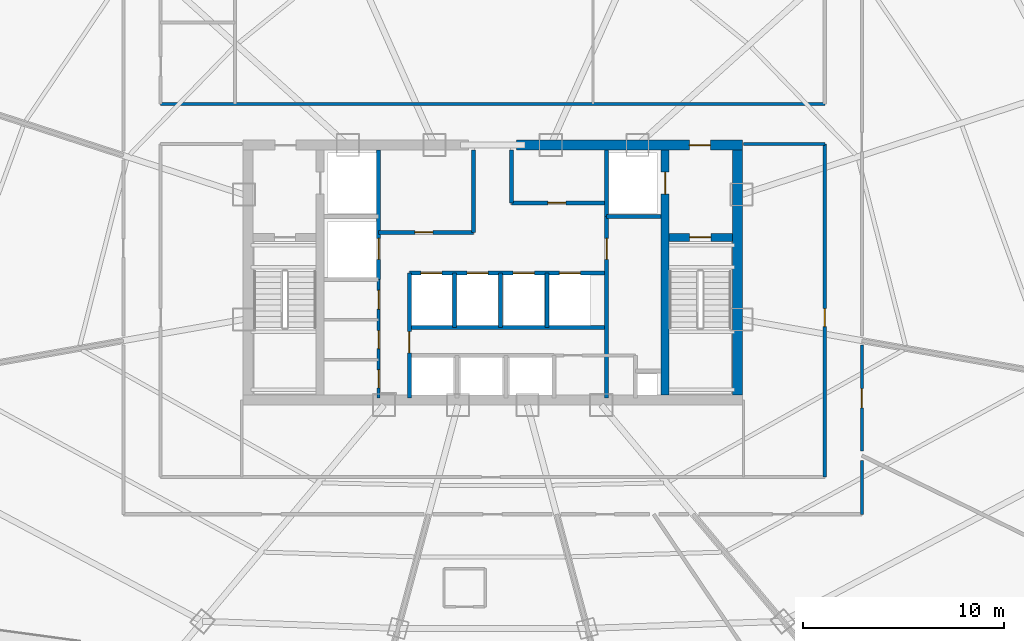
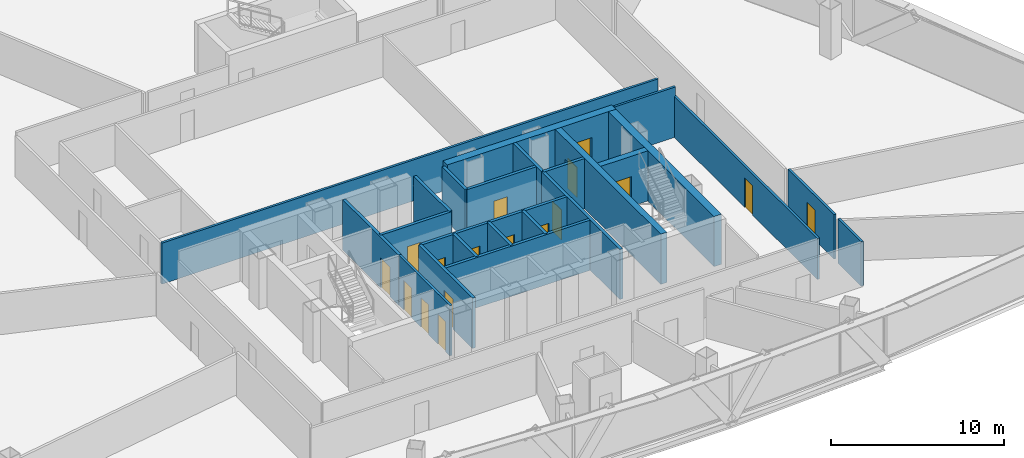
# One storey, part 31 of 37: 24 walls, 17 doors, 17 openings.
"""IFC4 building model written with IfcOpenShell, lengths in metres."""

from ifc_helpers import new_model, si_unit, direction, frame, frame_2d, origin, origin_with_axes, place, context, subcontext, project, spatial, rectangle, extrude, source, transform, mapped, material, layer, layer_set, type_object, element, fill, save


model = new_model("IFC4")

# Units and contexts
model_context = context("Model", 3, precision=1e-05, world=origin(), true_north=direction((0.0, 1.0)))
body_context = subcontext(model_context, "Body", "Model", "MODEL_VIEW")
ifc_project = project(units=[si_unit("LENGTHUNIT", "METRE"), si_unit("AREAUNIT", "SQUARE_METRE"), si_unit("VOLUMEUNIT", "CUBIC_METRE"), si_unit("PLANEANGLEUNIT", "RADIAN"), si_unit("MASSUNIT", "GRAM", prefix="KILO"), si_unit("THERMODYNAMICTEMPERATUREUNIT", "KELVIN"), si_unit("POWERUNIT", "WATT")], contexts=[model_context])

# Site, building, storey
site_placement = place(None, origin())
site = spatial("IfcSite", under=ifc_project, at=site_placement, CompositionType="ELEMENT")
building_placement = place(site_placement, origin())
building = spatial("IfcBuilding", under=site, at=building_placement, Name="Yunzhuo Pagoda Commons", CompositionType="ELEMENT")
storey_placement = place(building_placement, frame((0.0, 0.0, 192.360107421875)))
storey = spatial("IfcBuildingStorey", under=building, at=storey_placement, Name="L48", CompositionType="ELEMENT", Elevation=192.360107421875)

# Wall, opening, door
ifc_material_1 = material(Name="Concrete C50", Category="concrete")
ifc_layer_1 = layer(ifc_material_1, 0.5)
ifc_layer_set_1 = layer_set([ifc_layer_1], Name="Concrete C50")
wall_type_1 = type_object("IfcWallType", Name="W-C03 Upper Core Shear Wall 500", PredefinedType="SHEAR", material=ifc_layer_set_1)
wall_1_placement = place(storey_placement, frame((49.199951171875, 40.199951171875, 0.0), z_axis=(0.0, 0.0, 1.0), x_axis=(1.0, 0.0, 0.0)))
wall_1 = element("IfcWall", 1, at=wall_1_placement, inside=storey, type_object=wall_type_1, Name="L48 core shear wall NE", PredefinedType="SHEAR", context=body_context, shape_type="SweptSolid", body=[
    extrude(rectangle(XDim=11.25, YDim=0.5, at=frame_2d((5.625, 0.0))), origin(), (0.0, 0.0, 1.0), 3.539794921875),
])
opening_1_placement = place(wall_1_placement, frame((8.60009765625, 0.0, 0.0)))
opening_1 = element("IfcOpeningElement", 2, at=opening_1_placement, cuts=wall_1, Name="Opening D-02", PredefinedType="OPENING", context=body_context, shape_type="SweptSolid", body=[
    extrude(rectangle(XDim=1.050048828125, YDim=2.10009765625, at=frame_2d((0.52490234375, 1.050048828125))), frame((0.0, 0.260009765625, 0.0), z_axis=(0.0, -1.0, 0.0), x_axis=(1.0, 0.0, 0.0)), (0.0, 0.0, 1.0), 0.52001953125),
])
ifc_material_2 = material(Name="Galvanized fire-resisting metal leaf")
door_type_1 = type_object("IfcDoorType", Name="D-02 Firefighting Lobby & Refuge Fire Door 1050x2100", OperationType="NOTDEFINED", PredefinedType="DOOR", material=ifc_material_2)
shared_shape_1 = source(origin(), body_context, "Body", "SweptSolid", [
    extrude(rectangle(XDim=1.050048828125, YDim=2.10009765625, at=frame_2d((0.52490234375, 1.050048828125))), frame((0.0, 0.02490234375, 0.0), z_axis=(0.0, -1.0, 0.0), x_axis=(1.0, 0.0, 0.0)), (0.0, 0.0, 1.0), 0.050048828125),
])
door_1_placement = place(opening_1_placement, frame((1.050048828125, 0.0, 0.0), z_axis=(0.0, 0.0, 1.0), x_axis=(-1.0, 0.0, 0.0)))
door_1 = element("IfcDoor", 3, at=door_1_placement, inside=storey, type_object=door_type_1, Name="L48 Firefighting Lobby 2 fire door", OperationType="SINGLE_SWING_RIGHT", OverallHeight=2.10009765625, OverallWidth=1.050048828125, PredefinedType="DOOR", context=body_context, shape_type="MappedRepresentation", body=[
    mapped(shared_shape_1, transform((0.0, 0.0, 0.0), scale=1.0)),
])
fill(opening_1, door_1)

# Wall
wall_2_placement = place(storey_placement, frame((60.199951171875, 27.75, 0.0), z_axis=(0.0, 0.0, 1.0), x_axis=(0.0, 1.0, 0.0)))
element("IfcWall", 4, at=wall_2_placement, inside=storey, type_object=wall_type_1, Name="L48 core shear wall E", PredefinedType="SHEAR", context=body_context, shape_type="SweptSolid", body=[
    extrude(rectangle(XDim=12.199951171875, YDim=0.5, at=frame_2d((6.10009765625, 0.0))), origin(), (0.0, 0.0, 1.0), 3.539794921875),
])

# Wall, openings, doors
ifc_material_3 = material(Name="Gypsum plasterboard on acoustic stud")
ifc_layer_2 = layer(ifc_material_3, 0.155029296875)
ifc_layer_set_2 = layer_set([ifc_layer_2], Name="Gypsum plasterboard on acoustic stud")
wall_type_2 = type_object("IfcWallType", Name="W-COR2 Mid-Zone Rated Corridor Wall 155", PredefinedType="PARTITIONING", material=ifc_layer_set_2)
wall_3_placement = place(storey_placement, frame((42.320068359375, 27.60009765625, 0.0), z_axis=(0.0, 0.0, 1.0), x_axis=(0.0, 1.0, 0.0)))
wall_3 = element("IfcWall", 5, at=wall_3_placement, inside=storey, type_object=wall_type_2, Name="L48 interior wall IW-L48-CSWE", PredefinedType="PARTITIONING", context=body_context, shape_type="SweptSolid", body=[
    extrude(rectangle(XDim=5.89990234375, YDim=0.155029296875, at=frame_2d((2.949951171875, 0.0))), origin(), (0.0, 0.0, 1.0), 3.539794921875),
])
opening_2_placement = place(wall_3_placement, frame((0.5, 0.0, 0.0)))
opening_2 = element("IfcOpeningElement", 6, at=opening_2_placement, cuts=wall_3, Name="Opening D-03", PredefinedType="OPENING", context=body_context, shape_type="SweptSolid", body=[
    extrude(rectangle(XDim=0.89990234375, YDim=2.10009765625, at=frame_2d((0.449951171875, 1.050048828125))), frame((0.0, 0.08740234375, 0.0), z_axis=(0.0, -1.0, 0.0), x_axis=(1.0, 0.0, 0.0)), (0.0, 0.0, 1.0), 0.175048828125),
])
opening_3_placement = place(wall_3_placement, frame((2.449951171875, 0.0, 0.0)))
opening_3 = element("IfcOpeningElement", 7, at=opening_3_placement, cuts=wall_3, Name="Opening D-03", PredefinedType="OPENING", context=body_context, shape_type="SweptSolid", body=[
    extrude(rectangle(XDim=0.89990234375, YDim=2.10009765625, at=frame_2d((0.449951171875, 1.050048828125))), frame((0.0, 0.08740234375, 0.0), z_axis=(0.0, -1.0, 0.0), x_axis=(1.0, 0.0, 0.0)), (0.0, 0.0, 1.0), 0.175048828125),
])
opening_4_placement = place(wall_3_placement, frame((4.419921875, 0.0, 0.0)))
opening_4 = element("IfcOpeningElement", 8, at=opening_4_placement, cuts=wall_3, Name="Opening D-11", PredefinedType="OPENING", context=body_context, shape_type="SweptSolid", body=[
    extrude(rectangle(XDim=0.93994140625, YDim=2.10009765625, at=frame_2d((0.469970703125, 1.050048828125))), frame((0.0, 0.08740234375, 0.0), z_axis=(0.0, -1.0, 0.0), x_axis=(1.0, 0.0, 0.0)), (0.0, 0.0, 1.0), 0.175048828125),
])
door_type_2 = type_object("IfcDoorType", Name="D-03 Core Service Fire Door 900x2100", OperationType="NOTDEFINED", PredefinedType="DOOR", material=ifc_material_2)
shared_shape_2 = source(origin(), body_context, "Body", "SweptSolid", [
    extrude(rectangle(XDim=0.89990234375, YDim=2.10009765625, at=frame_2d((0.449951171875, 1.050048828125))), frame((0.0, 0.02490234375, 0.0), z_axis=(0.0, -1.0, 0.0), x_axis=(1.0, 0.0, 0.0)), (0.0, 0.0, 1.0), 0.050048828125),
])
door_2_placement = place(opening_2_placement, origin_with_axes())
door_2 = element("IfcDoor", 9, at=door_2_placement, inside=storey, type_object=door_type_2, Name="L48 switch door", OperationType="SINGLE_SWING_RIGHT", OverallHeight=2.10009765625, OverallWidth=0.89990234375, PredefinedType="DOOR", context=body_context, shape_type="MappedRepresentation", body=[
    mapped(shared_shape_2, transform((0.0, 0.0, 0.0), scale=1.0)),
])
fill(opening_2, door_2)
door_3_placement = place(opening_3_placement, origin_with_axes())
door_3 = element("IfcDoor", 10, at=door_3_placement, inside=storey, type_object=door_type_2, Name="L48 cleaner door", OperationType="SINGLE_SWING_RIGHT", OverallHeight=2.10009765625, OverallWidth=0.89990234375, PredefinedType="DOOR", context=body_context, shape_type="MappedRepresentation", body=[
    mapped(shared_shape_2, transform((0.0, 0.0, 0.0), scale=1.0)),
])
fill(opening_3, door_3)
door_type_3 = type_object("IfcDoorType", Name="D-11 Accessible Washroom Fire Door 940x2100", OperationType="NOTDEFINED", PredefinedType="DOOR", material=ifc_material_2)
shared_shape_3 = source(origin(), body_context, "Body", "SweptSolid", [
    extrude(rectangle(XDim=0.93994140625, YDim=2.10009765625, at=frame_2d((0.469970703125, 1.050048828125))), frame((0.0, 0.02490234375, 0.0), z_axis=(0.0, -1.0, 0.0), x_axis=(1.0, 0.0, 0.0)), (0.0, 0.0, 1.0), 0.050048828125),
])
door_4_placement = place(opening_4_placement, origin_with_axes())
door_4 = element("IfcDoor", 11, at=door_4_placement, inside=storey, type_object=door_type_3, Name="L48 core WC door", OperationType="SINGLE_SWING_LEFT", OverallHeight=2.10009765625, OverallWidth=0.93994140625, PredefinedType="DOOR", context=body_context, shape_type="MappedRepresentation", body=[
    mapped(shared_shape_3, transform((0.0, 0.0, 0.0), scale=1.0)),
])
fill(opening_4, door_4)

# Wall
wall_4_placement = place(storey_placement, frame((31.449951171875, 42.25, 0.0), z_axis=(0.0, 0.0, 1.0), x_axis=(1.0, 0.0, 0.0)))
element("IfcWall", 12, at=wall_4_placement, inside=storey, type_object=wall_type_2, Name="L48 interior wall IW-L48-MCNS", PredefinedType="PARTITIONING", context=body_context, shape_type="SweptSolid", body=[
    extrude(rectangle(XDim=33.10009765625, YDim=0.155029296875, at=frame_2d((16.550048828125, 0.0))), origin(), (0.0, 0.0, 1.0), 2.889892578125),
])

# Wall, opening, door
wall_5_placement = place(storey_placement, frame((64.550048828125, 23.64990234375, 0.0), z_axis=(0.0, 0.0, 1.0), x_axis=(0.0, 1.0, 0.0)))
wall_5 = element("IfcWall", 13, at=wall_5_placement, inside=storey, type_object=wall_type_2, Name="L48 interior wall IW-L48-SFLE", PredefinedType="PARTITIONING", context=body_context, shape_type="SweptSolid", body=[
    extrude(rectangle(XDim=16.60009765625, YDim=0.155029296875, at=frame_2d((8.300048828125, 0.0))), origin(), (0.0, 0.0, 1.0), 2.889892578125),
])
opening_5_placement = place(wall_5_placement, frame((7.5, 0.0, 0.0)))
opening_5 = element("IfcOpeningElement", 14, at=opening_5_placement, cuts=wall_5, Name="Opening D-12", PredefinedType="OPENING", context=body_context, shape_type="SweptSolid", body=[
    extrude(rectangle(XDim=0.89990234375, YDim=2.080078125, at=frame_2d((0.449951171875, 1.0400390625))), frame((0.0, 0.08740234375, 0.0), z_axis=(0.0, -1.0, 0.0), x_axis=(1.0, 0.0, 0.0)), (0.0, 0.0, 1.0), 0.175048828125),
])
ifc_material_4 = material(Name="Powder-coated aluminium and timber acoustic leaf", Category="wood")
door_type_4 = type_object("IfcDoorType", Name="D-12 Quiet Study Interior Door 900x2080", OperationType="NOTDEFINED", PredefinedType="DOOR", material=ifc_material_4)
shared_shape_4 = source(origin(), body_context, "Body", "SweptSolid", [
    extrude(rectangle(XDim=0.89990234375, YDim=2.080078125, at=frame_2d((0.449951171875, 1.0400390625))), frame((0.0, 0.02490234375, 0.0), z_axis=(0.0, -1.0, 0.0), x_axis=(1.0, 0.0, 0.0)), (0.0, 0.0, 1.0), 0.050048828125),
])
door_5_placement = place(opening_5_placement, frame((0.89990234375, 0.0, 0.0), z_axis=(0.0, 0.0, 1.0), x_axis=(-1.0, 0.0, 0.0)))
door_5 = element("IfcDoor", 15, at=door_5_placement, inside=storey, type_object=door_type_4, Name="L48 east study workroom door", OperationType="SINGLE_SWING_RIGHT", OverallHeight=2.080078125, OverallWidth=0.89990234375, PredefinedType="DOOR", context=body_context, shape_type="MappedRepresentation", body=[
    mapped(shared_shape_4, transform((0.0, 0.0, 0.0), scale=1.0)),
])
fill(opening_5, door_5)

# Wall
wall_6_placement = place(storey_placement, frame((60.5, 40.25, 0.0), z_axis=(0.0, 0.0, 1.0), x_axis=(1.0, 0.0, 0.0)))
element("IfcWall", 16, at=wall_6_placement, inside=storey, type_object=wall_type_2, Name="L48 interior wall IW-L48-SFLNE", PredefinedType="PARTITIONING", context=body_context, shape_type="SweptSolid", body=[
    extrude(rectangle(XDim=4.050048828125, YDim=0.155029296875, at=frame_2d((2.02490234375, 0.0))), origin(), (0.0, 0.0, 1.0), 3.539794921875),
])

# Wall, opening, door
wall_7_placement = place(storey_placement, frame((66.39990234375, 30.232177734375, 0.0), z_axis=(0.0, 0.0, 1.0), x_axis=(0.0, -1.0, 0.0)))
wall_7 = element("IfcWall", 17, at=wall_7_placement, inside=storey, type_object=wall_type_2, Name="L48 interior wall IW-L48-CWL10", PredefinedType="PARTITIONING", context=body_context, shape_type="SweptSolid", body=[
    extrude(rectangle(XDim=5.28662109375, YDim=0.155029296875, at=frame_2d((2.643310546875, 0.0))), origin(), (0.0, 0.0, 1.0), 3.139892578125),
])
opening_6_placement = place(wall_7_placement, frame((2.16650390625, 0.0, 0.0)))
opening_6 = element("IfcOpeningElement", 18, at=opening_6_placement, cuts=wall_7, Name="Opening D-07", PredefinedType="OPENING", context=body_context, shape_type="SweptSolid", body=[
    extrude(rectangle(XDim=0.9599609375, YDim=2.1201171875, at=frame_2d((0.47998046875, 1.06005859375))), frame((0.0, 0.08740234375, 0.0), z_axis=(0.0, -1.0, 0.0), x_axis=(1.0, 0.0, 0.0)), (0.0, 0.0, 1.0), 0.175048828125),
])
door_type_5 = type_object("IfcDoorType", Name="D-07 Mid-Zone Suite Entrance Fire Door 960x2120", OperationType="NOTDEFINED", PredefinedType="DOOR", material=ifc_material_2)
shared_shape_5 = source(origin(), body_context, "Body", "SweptSolid", [
    extrude(rectangle(XDim=0.9599609375, YDim=2.1201171875, at=frame_2d((0.47998046875, 1.06005859375))), frame((0.0, 0.02490234375, 0.0), z_axis=(0.0, -1.0, 0.0), x_axis=(1.0, 0.0, 0.0)), (0.0, 0.0, 1.0), 0.050048828125),
])
door_6_placement = place(opening_6_placement, origin_with_axes())
door_6 = element("IfcDoor", 19, at=door_6_placement, inside=storey, type_object=door_type_5, Name="L48 unit 11 entrance door", OperationType="SINGLE_SWING_RIGHT", OverallHeight=2.1201171875, OverallWidth=0.9599609375, PredefinedType="DOOR", context=body_context, shape_type="MappedRepresentation", body=[
    mapped(shared_shape_5, transform((0.0, 0.0, 0.0), scale=1.0)),
])
fill(opening_6, door_6)

# Wall
wall_8_placement = place(storey_placement, frame((66.39990234375, 24.48095703125, 0.0), z_axis=(0.0, 0.0, 1.0), x_axis=(0.0, -1.0, 0.0)))
element("IfcWall", 20, at=wall_8_placement, inside=storey, type_object=wall_type_2, Name="L48 interior wall IW-L48-CWL11", PredefinedType="PARTITIONING", context=body_context, shape_type="SweptSolid", body=[
    extrude(rectangle(XDim=2.680908203125, YDim=0.155029296875, at=frame_2d((1.34033203125, 0.0))), origin(), (0.0, 0.0, 1.0), 3.139892578125),
])

# Wall, opening, door
ifc_material_5 = material(Name="Concrete C60", Category="concrete")
ifc_layer_3 = layer(ifc_material_5, 0.39990234375)
ifc_layer_set_3 = layer_set([ifc_layer_3], Name="Concrete C60")
wall_type_3 = type_object("IfcWallType", Name="W-S01 Internal Core Shear Web 400", PredefinedType="SHEAR", material=ifc_layer_set_3)
wall_9_placement = place(storey_placement, frame((56.60009765625, 27.75, 0.0), z_axis=(0.0, 0.0, 1.0), x_axis=(0.0, 1.0, 0.0)))
wall_9 = element("IfcWall", 21, at=wall_9_placement, inside=storey, type_object=wall_type_3, Name="L48 core shear wall WEBE", PredefinedType="SHEAR", context=body_context, shape_type="SweptSolid", body=[
    extrude(rectangle(XDim=12.199951171875, YDim=0.39990234375, at=frame_2d((6.10009765625, 0.0))), origin(), (0.0, 0.0, 1.0), 3.539794921875),
])
opening_7_placement = place(wall_9_placement, frame((10.0, 0.0, 0.0)))
opening_7 = element("IfcOpeningElement", 22, at=opening_7_placement, cuts=wall_9, Name="Opening LD-01", PredefinedType="OPENING", context=body_context, shape_type="SweptSolid", body=[
    extrude(rectangle(XDim=1.10009765625, YDim=2.10009765625, at=frame_2d((0.550048828125, 1.050048828125))), frame((0.0, 0.2099609375, 0.0), z_axis=(0.0, -1.0, 0.0), x_axis=(1.0, 0.0, 0.0)), (0.0, 0.0, 1.0), 0.419921875),
])
door_type_6 = type_object("IfcDoorType", Name="LD-01 Firefighting Lift Landing Door 1100x2100", OperationType="DOUBLE_DOOR_SLIDING", PredefinedType="DOOR", material=ifc_material_2)
shared_shape_6 = source(origin(), body_context, "Body", "SweptSolid", [
    extrude(rectangle(XDim=1.10009765625, YDim=2.10009765625, at=frame_2d((0.550048828125, 1.050048828125))), frame((0.0, 0.02490234375, 0.0), z_axis=(0.0, -1.0, 0.0), x_axis=(1.0, 0.0, 0.0)), (0.0, 0.0, 1.0), 0.050048828125),
])
door_7_placement = place(opening_7_placement, origin_with_axes())
door_7 = element("IfcDoor", 23, at=door_7_placement, inside=storey, type_object=door_type_6, Name="L48 Firefighting lift FL-2 landing door", OperationType="DOUBLE_DOOR_SLIDING", OverallHeight=2.10009765625, OverallWidth=1.10009765625, PredefinedType="DOOR", context=body_context, shape_type="MappedRepresentation", body=[
    mapped(shared_shape_6, transform((0.0, 0.0, 0.0), scale=1.0)),
])
fill(opening_7, door_7)

wall_10_placement = place(storey_placement, frame((56.800048828125, 35.60009765625, 0.0), z_axis=(0.0, 0.0, 1.0), x_axis=(1.0, 0.0, 0.0)))
wall_10 = element("IfcWall", 24, at=wall_10_placement, inside=storey, type_object=wall_type_3, Name="L48 core shear wall STE", PredefinedType="SHEAR", context=body_context, shape_type="SweptSolid", body=[
    extrude(rectangle(XDim=3.14990234375, YDim=0.39990234375, at=frame_2d((1.574951171875, 0.0))), origin(), (0.0, 0.0, 1.0), 3.539794921875),
])
opening_8_placement = place(wall_10_placement, frame((1.02001953125, 0.0, 0.0)))
opening_8 = element("IfcOpeningElement", 25, at=opening_8_placement, cuts=wall_10, Name="Opening D-01", PredefinedType="OPENING", context=body_context, shape_type="SweptSolid", body=[
    extrude(rectangle(XDim=1.050048828125, YDim=2.10009765625, at=frame_2d((0.52490234375, 1.050048828125))), frame((0.0, 0.2099609375, 0.0), z_axis=(0.0, -1.0, 0.0), x_axis=(1.0, 0.0, 0.0)), (0.0, 0.0, 1.0), 0.419921875),
])
door_type_7 = type_object("IfcDoorType", Name="D-01 Smokeproof Stair Fire Door 1050x2100", OperationType="NOTDEFINED", PredefinedType="DOOR", material=ifc_material_2)
door_8_placement = place(opening_8_placement, frame((1.050048828125, 0.0, 0.0), z_axis=(0.0, 0.0, 1.0), x_axis=(-1.0, 0.0, 0.0)))
door_8 = element("IfcDoor", 26, at=door_8_placement, inside=storey, type_object=door_type_7, Name="L48 Stair ST2 fire door", OperationType="SINGLE_SWING_RIGHT", OverallHeight=2.10009765625, OverallWidth=1.050048828125, PredefinedType="DOOR", context=body_context, shape_type="MappedRepresentation", body=[
    mapped(shared_shape_1, transform((0.0, 0.0, 0.0), scale=1.0)),
])
fill(opening_8, door_8)

ifc_material_6 = material(Name="Concrete C40", Category="concrete")
ifc_layer_4 = layer(ifc_material_6, 0.199951171875)
ifc_layer_set_4 = layer_set([ifc_layer_4], Name="Concrete C40")
wall_type_4 = type_object("IfcWallType", Name="W-SHF Shaft & Stair Enclosure Wall 200", PredefinedType="SOLIDWALL", material=ifc_layer_set_4)
wall_11_placement = place(storey_placement, frame((42.320068359375, 33.5, 0.0), z_axis=(0.0, 0.0, 1.0), x_axis=(0.0, 1.0, 0.0)))
wall_11 = element("IfcWall", 27, at=wall_11_placement, inside=storey, type_object=wall_type_4, Name="L48 interior wall IW-L48-FL1E", PredefinedType="SOLIDWALL", context=body_context, shape_type="SweptSolid", body=[
    extrude(rectangle(XDim=6.449951171875, YDim=0.199951171875, at=frame_2d((3.22509765625, 0.0))), origin(), (0.0, 0.0, 1.0), 3.539794921875),
])
opening_9_placement = place(wall_11_placement, frame((1.0, 0.0, 0.0)))
opening_9 = element("IfcOpeningElement", 28, at=opening_9_placement, cuts=wall_11, Name="Opening LD-02", PredefinedType="OPENING", context=body_context, shape_type="SweptSolid", body=[
    extrude(rectangle(XDim=1.050048828125, YDim=2.10009765625, at=frame_2d((0.52490234375, 1.050048828125))), frame((0.0, 0.10986328125, 0.0), z_axis=(0.0, -1.0, 0.0), x_axis=(1.0, 0.0, 0.0)), (0.0, 0.0, 1.0), 0.219970703125),
])
door_type_8 = type_object("IfcDoorType", Name="LD-02 Passenger Lift Landing Door 1050x2100", OperationType="DOUBLE_DOOR_SLIDING", PredefinedType="DOOR", material=ifc_material_2)
door_9_placement = place(opening_9_placement, origin_with_axes())
door_9 = element("IfcDoor", 29, at=door_9_placement, inside=storey, type_object=door_type_8, Name="L48 Service lift SL-1 landing door", OperationType="DOUBLE_DOOR_SLIDING", OverallHeight=2.10009765625, OverallWidth=1.050048828125, PredefinedType="DOOR", context=body_context, shape_type="MappedRepresentation", body=[
    mapped(shared_shape_1, transform((0.0, 0.0, 0.0), scale=1.0)),
])
fill(opening_9, door_9)

# Walls
wall_12_placement = place(storey_placement, frame((53.679931640625, 36.64990234375, 0.0), z_axis=(0.0, 0.0, 1.0), x_axis=(0.0, 1.0, 0.0)))
element("IfcWall", 30, at=wall_12_placement, inside=storey, type_object=wall_type_4, Name="L48 interior wall IW-L48-FL2W", PredefinedType="SOLIDWALL", context=body_context, shape_type="SweptSolid", body=[
    extrude(rectangle(XDim=3.300048828125, YDim=0.199951171875, at=frame_2d((1.64990234375, 0.0))), origin(), (0.0, 0.0, 1.0), 3.539794921875),
])
wall_13_placement = place(storey_placement, frame((53.679931640625, 36.64990234375, 0.0), z_axis=(0.0, 0.0, 1.0), x_axis=(1.0, 0.0, 0.0)))
element("IfcWall", 31, at=wall_13_placement, inside=storey, type_object=wall_type_4, Name="L48 interior wall IW-L48-FL2S", PredefinedType="SOLIDWALL", context=body_context, shape_type="SweptSolid", body=[
    extrude(rectangle(XDim=2.719970703125, YDim=0.199951171875, at=frame_2d((1.35986328125, 0.0))), origin(), (0.0, 0.0, 1.0), 3.539794921875),
])

# Wall, opening, door
wall_14_placement = place(storey_placement, frame((42.320068359375, 35.85009765625, 0.0), z_axis=(0.0, 0.0, 1.0), x_axis=(1.0, 0.0, 0.0)))
wall_14 = element("IfcWall", 32, at=wall_14_placement, inside=storey, type_object=wall_type_4, Name="L48 interior wall IW-L48-LBNW", PredefinedType="SOLIDWALL", context=body_context, shape_type="SweptSolid", body=[
    extrude(rectangle(XDim=4.72998046875, YDim=0.199951171875, at=frame_2d((2.364990234375, 0.0))), origin(), (0.0, 0.0, 1.0), 3.539794921875),
])
opening_10_placement = place(wall_14_placement, frame((1.800048828125, 0.0, 0.0)))
opening_10 = element("IfcOpeningElement", 33, at=opening_10_placement, cuts=wall_14, Name="Opening D-03", PredefinedType="OPENING", context=body_context, shape_type="SweptSolid", body=[
    extrude(rectangle(XDim=0.89990234375, YDim=2.10009765625, at=frame_2d((0.449951171875, 1.050048828125))), frame((0.0, 0.10986328125, 0.0), z_axis=(0.0, -1.0, 0.0), x_axis=(1.0, 0.0, 0.0)), (0.0, 0.0, 1.0), 0.219970703125),
])
door_10_placement = place(opening_10_placement, frame((0.89990234375, 0.0, 0.0), z_axis=(0.0, 0.0, 1.0), x_axis=(-1.0, 0.0, 0.0)))
door_10 = element("IfcDoor", 34, at=door_10_placement, inside=storey, type_object=door_type_2, Name="L48 core west store door", OperationType="SINGLE_SWING_LEFT", OverallHeight=2.10009765625, OverallWidth=0.89990234375, PredefinedType="DOOR", context=body_context, shape_type="MappedRepresentation", body=[
    mapped(shared_shape_2, transform((0.0, 0.0, 0.0), scale=1.0)),
])
fill(opening_10, door_10)

wall_15_placement = place(storey_placement, frame((48.949951171875, 37.320068359375, 0.0), z_axis=(0.0, 0.0, 1.0), x_axis=(1.0, 0.0, 0.0)))
wall_15 = element("IfcWall", 35, at=wall_15_placement, inside=storey, type_object=wall_type_4, Name="L48 interior wall IW-L48-LBNE", PredefinedType="SOLIDWALL", context=body_context, shape_type="SweptSolid", body=[
    extrude(rectangle(XDim=4.72998046875, YDim=0.199951171875, at=frame_2d((2.364990234375, 0.0))), origin(), (0.0, 0.0, 1.0), 3.539794921875),
])
opening_11_placement = place(wall_15_placement, frame((1.800048828125, 0.0, 0.0)))
opening_11 = element("IfcOpeningElement", 36, at=opening_11_placement, cuts=wall_15, Name="Opening D-03", PredefinedType="OPENING", context=body_context, shape_type="SweptSolid", body=[
    extrude(rectangle(XDim=0.89990234375, YDim=2.10009765625, at=frame_2d((0.449951171875, 1.050048828125))), frame((0.0, 0.10986328125, 0.0), z_axis=(0.0, -1.0, 0.0), x_axis=(1.0, 0.0, 0.0)), (0.0, 0.0, 1.0), 0.219970703125),
])
door_11_placement = place(opening_11_placement, frame((0.89990234375, 0.0, 0.0), z_axis=(0.0, 0.0, 1.0), x_axis=(-1.0, 0.0, 0.0)))
door_11 = element("IfcDoor", 37, at=door_11_placement, inside=storey, type_object=door_type_2, Name="L48 core east store door", OperationType="SINGLE_SWING_RIGHT", OverallHeight=2.10009765625, OverallWidth=0.89990234375, PredefinedType="DOOR", context=body_context, shape_type="MappedRepresentation", body=[
    mapped(shared_shape_2, transform((0.0, 0.0, 0.0), scale=1.0)),
])
fill(opening_11, door_11)

# Walls
wall_16_placement = place(storey_placement, frame((47.050048828125, 35.85009765625, 0.0), z_axis=(0.0, 0.0, 1.0), x_axis=(0.0, 1.0, 0.0)))
element("IfcWall", 38, at=wall_16_placement, inside=storey, type_object=wall_type_4, Name="L48 interior wall IW-L48-THRW", PredefinedType="SOLIDWALL", context=body_context, shape_type="SweptSolid", body=[
    extrude(rectangle(XDim=4.099853515625, YDim=0.199951171875, at=frame_2d((2.0498046875, 0.0))), origin(), (0.0, 0.0, 1.0), 3.539794921875),
])
wall_17_placement = place(storey_placement, frame((48.949951171875, 37.320068359375, 0.0), z_axis=(0.0, 0.0, 1.0), x_axis=(0.0, 1.0, 0.0)))
element("IfcWall", 39, at=wall_17_placement, inside=storey, type_object=wall_type_4, Name="L48 interior wall IW-L48-THRE", PredefinedType="SOLIDWALL", context=body_context, shape_type="SweptSolid", body=[
    extrude(rectangle(XDim=2.6298828125, YDim=0.199951171875, at=frame_2d((1.31494140625, 0.0))), origin(), (0.0, 0.0, 1.0), 3.539794921875),
])

# Wall, openings, doors
wall_18_placement = place(storey_placement, frame((43.85009765625, 33.820068359375, 0.0), z_axis=(0.0, 0.0, 1.0), x_axis=(1.0, 0.0, 0.0)))
wall_18 = element("IfcWall", 40, at=wall_18_placement, inside=storey, type_object=wall_type_4, Name="L48 interior wall IW-L48-MLBS", PredefinedType="SOLIDWALL", context=body_context, shape_type="SweptSolid", body=[
    extrude(rectangle(XDim=9.829833984375, YDim=0.199951171875, at=frame_2d((4.9150390625, 0.0))), origin(), (0.0, 0.0, 1.0), 3.539794921875),
])
opening_12_placement = place(wall_18_placement, frame((0.574951171875, 0.0, 0.0)))
opening_12 = element("IfcOpeningElement", 41, at=opening_12_placement, cuts=wall_18, Name="Opening LD-02", PredefinedType="OPENING", context=body_context, shape_type="SweptSolid", body=[
    extrude(rectangle(XDim=1.050048828125, YDim=2.10009765625, at=frame_2d((0.52490234375, 1.050048828125))), frame((0.0, 0.10986328125, 0.0), z_axis=(0.0, -1.0, 0.0), x_axis=(1.0, 0.0, 0.0)), (0.0, 0.0, 1.0), 0.219970703125),
])
opening_13_placement = place(wall_18_placement, frame((2.875, 0.0, 0.0)))
opening_13 = element("IfcOpeningElement", 42, at=opening_13_placement, cuts=wall_18, Name="Opening LD-02", PredefinedType="OPENING", context=body_context, shape_type="SweptSolid", body=[
    extrude(rectangle(XDim=1.050048828125, YDim=2.10009765625, at=frame_2d((0.52490234375, 1.050048828125))), frame((0.0, 0.10986328125, 0.0), z_axis=(0.0, -1.0, 0.0), x_axis=(1.0, 0.0, 0.0)), (0.0, 0.0, 1.0), 0.219970703125),
])
opening_14_placement = place(wall_18_placement, frame((5.175048828125, 0.0, 0.0)))
opening_14 = element("IfcOpeningElement", 43, at=opening_14_placement, cuts=wall_18, Name="Opening LD-02", PredefinedType="OPENING", context=body_context, shape_type="SweptSolid", body=[
    extrude(rectangle(XDim=1.050048828125, YDim=2.10009765625, at=frame_2d((0.52490234375, 1.050048828125))), frame((0.0, 0.10986328125, 0.0), z_axis=(0.0, -1.0, 0.0), x_axis=(1.0, 0.0, 0.0)), (0.0, 0.0, 1.0), 0.219970703125),
])
opening_15_placement = place(wall_18_placement, frame((7.47509765625, 0.0, 0.0)))
opening_15 = element("IfcOpeningElement", 44, at=opening_15_placement, cuts=wall_18, Name="Opening LD-02", PredefinedType="OPENING", context=body_context, shape_type="SweptSolid", body=[
    extrude(rectangle(XDim=1.050048828125, YDim=2.10009765625, at=frame_2d((0.52490234375, 1.050048828125))), frame((0.0, 0.10986328125, 0.0), z_axis=(0.0, -1.0, 0.0), x_axis=(1.0, 0.0, 0.0)), (0.0, 0.0, 1.0), 0.219970703125),
])
door_12_placement = place(opening_12_placement, origin_with_axes())
door_12 = element("IfcDoor", 45, at=door_12_placement, inside=storey, type_object=door_type_8, Name="L48 Passenger lift PL-M1 landing door", OperationType="DOUBLE_DOOR_SLIDING", OverallHeight=2.10009765625, OverallWidth=1.050048828125, PredefinedType="DOOR", context=body_context, shape_type="MappedRepresentation", body=[
    mapped(shared_shape_1, transform((0.0, 0.0, 0.0), scale=1.0)),
])
fill(opening_12, door_12)
door_13_placement = place(opening_13_placement, origin_with_axes())
door_13 = element("IfcDoor", 46, at=door_13_placement, inside=storey, type_object=door_type_8, Name="L48 Passenger lift PL-M2 landing door", OperationType="DOUBLE_DOOR_SLIDING", OverallHeight=2.10009765625, OverallWidth=1.050048828125, PredefinedType="DOOR", context=body_context, shape_type="MappedRepresentation", body=[
    mapped(shared_shape_1, transform((0.0, 0.0, 0.0), scale=1.0)),
])
fill(opening_13, door_13)
door_14_placement = place(opening_14_placement, origin_with_axes())
door_14 = element("IfcDoor", 47, at=door_14_placement, inside=storey, type_object=door_type_8, Name="L48 Passenger lift PL-M3 landing door", OperationType="DOUBLE_DOOR_SLIDING", OverallHeight=2.10009765625, OverallWidth=1.050048828125, PredefinedType="DOOR", context=body_context, shape_type="MappedRepresentation", body=[
    mapped(shared_shape_1, transform((0.0, 0.0, 0.0), scale=1.0)),
])
fill(opening_14, door_14)
door_15_placement = place(opening_15_placement, origin_with_axes())
door_15 = element("IfcDoor", 48, at=door_15_placement, inside=storey, type_object=door_type_8, Name="L48 Passenger lift PL-M4 landing door", OperationType="DOUBLE_DOOR_SLIDING", OverallHeight=2.10009765625, OverallWidth=1.050048828125, PredefinedType="DOOR", context=body_context, shape_type="MappedRepresentation", body=[
    mapped(shared_shape_1, transform((0.0, 0.0, 0.0), scale=1.0)),
])
fill(opening_15, door_15)

# Wall, opening, door
wall_19_placement = place(storey_placement, frame((43.85009765625, 27.60009765625, 0.0), z_axis=(0.0, 0.0, 1.0), x_axis=(0.0, 1.0, 0.0)))
wall_19 = element("IfcWall", 49, at=wall_19_placement, inside=storey, type_object=wall_type_4, Name="L48 interior wall IW-L48-PLMW", PredefinedType="SOLIDWALL", context=body_context, shape_type="SweptSolid", body=[
    extrude(rectangle(XDim=6.219970703125, YDim=0.199951171875, at=frame_2d((3.10986328125, 0.0))), origin(), (0.0, 0.0, 1.0), 3.539794921875),
])
opening_16_placement = place(wall_19_placement, frame((2.25, 0.0, 0.0)))
opening_16 = element("IfcOpeningElement", 50, at=opening_16_placement, cuts=wall_19, Name="Opening D-02", PredefinedType="OPENING", context=body_context, shape_type="SweptSolid", body=[
    extrude(rectangle(XDim=1.050048828125, YDim=2.10009765625, at=frame_2d((0.52490234375, 1.050048828125))), frame((0.0, 0.10986328125, 0.0), z_axis=(0.0, -1.0, 0.0), x_axis=(1.0, 0.0, 0.0)), (0.0, 0.0, 1.0), 0.219970703125),
])
door_16_placement = place(opening_16_placement, frame((1.050048828125, 0.0, 0.0), z_axis=(0.0, 0.0, 1.0), x_axis=(-1.0, 0.0, 0.0)))
door_16 = element("IfcDoor", 51, at=door_16_placement, inside=storey, type_object=door_type_1, Name="L48 High-bank hall west door", OperationType="SINGLE_SWING_LEFT", OverallHeight=2.10009765625, OverallWidth=1.050048828125, PredefinedType="DOOR", context=body_context, shape_type="MappedRepresentation", body=[
    mapped(shared_shape_1, transform((0.0, 0.0, 0.0), scale=1.0)),
])
fill(opening_16, door_16)

wall_20_placement = place(storey_placement, frame((53.679931640625, 27.60009765625, 0.0), z_axis=(0.0, 0.0, 1.0), x_axis=(0.0, 1.0, 0.0)))
wall_20 = element("IfcWall", 52, at=wall_20_placement, inside=storey, type_object=wall_type_4, Name="L48 interior wall IW-L48-PLME", PredefinedType="SOLIDWALL", context=body_context, shape_type="SweptSolid", body=[
    extrude(rectangle(XDim=9.0498046875, YDim=0.199951171875, at=frame_2d((4.52490234375, 0.0))), origin(), (0.0, 0.0, 1.0), 3.539794921875),
])
opening_17_placement = place(wall_20_placement, frame((6.89990234375, 0.0, 0.0)))
opening_17 = element("IfcOpeningElement", 53, at=opening_17_placement, cuts=wall_20, Name="Opening D-02", PredefinedType="OPENING", context=body_context, shape_type="SweptSolid", body=[
    extrude(rectangle(XDim=1.050048828125, YDim=2.10009765625, at=frame_2d((0.52490234375, 1.050048828125))), frame((0.0, 0.10986328125, 0.0), z_axis=(0.0, -1.0, 0.0), x_axis=(1.0, 0.0, 0.0)), (0.0, 0.0, 1.0), 0.219970703125),
])
door_17_placement = place(opening_17_placement, origin_with_axes())
door_17 = element("IfcDoor", 54, at=door_17_placement, inside=storey, type_object=door_type_1, Name="L48 High-bank lift hall door", OperationType="SINGLE_SWING_RIGHT", OverallHeight=2.10009765625, OverallWidth=1.050048828125, PredefinedType="DOOR", context=body_context, shape_type="MappedRepresentation", body=[
    mapped(shared_shape_1, transform((0.0, 0.0, 0.0), scale=1.0)),
])
fill(opening_17, door_17)

# Walls
for number, where, z_axis, x_axis, name in (
    (55, (46.10009765625, 31.1201171875, 0.0), (0.0, 0.0, 1.0), (0.0, 1.0, 0.0), "L48 interior wall IW-L48-PLMD1"),
    (56, (48.39990234375, 31.1201171875, 0.0), (0.0, 0.0, 1.0), (0.0, 1.0, 0.0), "L48 interior wall IW-L48-PLMD2"),
    (57, (50.699951171875, 31.1201171875, 0.0), (0.0, 0.0, 1.0), (0.0, 1.0, 0.0), "L48 interior wall IW-L48-PLMD3"),
):
    element("IfcWall", number, at=place(storey_placement, frame(where, z_axis=z_axis, x_axis=x_axis)), inside=storey, type_object=wall_type_4, Name=name, PredefinedType="SOLIDWALL", context=body_context, shape_type="SweptSolid", body=[
        extrude(rectangle(XDim=2.699951171875, YDim=0.199951171875, at=frame_2d((1.35009765625, 0.0))), origin(), (0.0, 0.0, 1.0), 3.539794921875),
    ])
wall_21_placement = place(storey_placement, frame((43.85009765625, 31.1201171875, 0.0), z_axis=(0.0, 0.0, 1.0), x_axis=(1.0, 0.0, 0.0)))
element("IfcWall", 58, at=wall_21_placement, inside=storey, type_object=wall_type_4, Name="L48 interior wall IW-L48-PLMS2", PredefinedType="SOLIDWALL", context=body_context, shape_type="SweptSolid", body=[
    extrude(rectangle(XDim=9.829833984375, YDim=0.199951171875, at=frame_2d((4.9150390625, 0.0))), origin(), (0.0, 0.0, 1.0), 3.539794921875),
])

save(model, "model.ifc")
